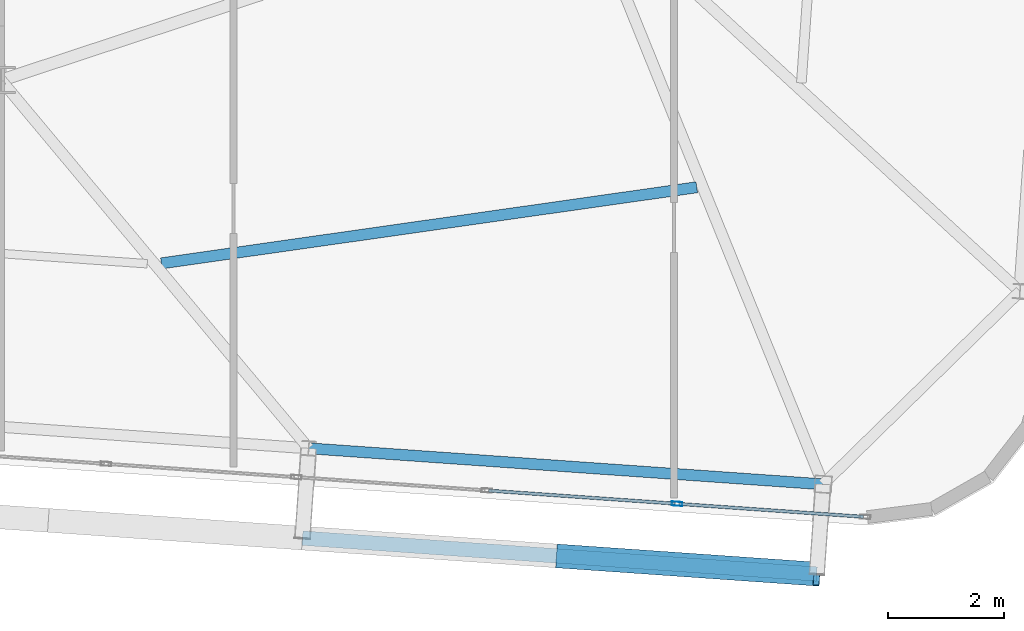
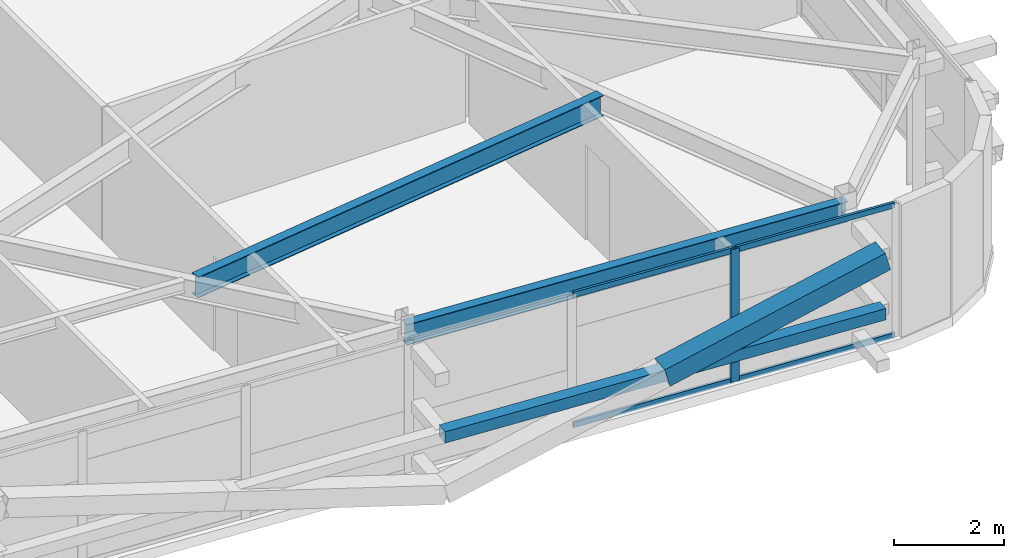
# One storey, part 19 of 47: 7 members, 2 beams, 1 element without a shape of its own.
"""IFC4 building model written with IfcOpenShell, lengths in metres."""

from ifc_helpers import new_model, si_unit, direction, frame, origin, origin_2d, place, context, subcontext, project, spatial, hollow_rectangle, i_section, extrude, source, transform, mapped, material, layer, layer_set, material_profile, profile_set, type_object, element, aggregate, save


model = new_model("IFC4")

# Units and contexts
model_context = context("Model", 3, precision=1e-05, world=origin(), true_north=direction((0.0, 1.0)))
body_context = subcontext(model_context, "Body", "Model", "MODEL_VIEW")
ifc_project = project(units=[si_unit("LENGTHUNIT", "METRE"), si_unit("AREAUNIT", "SQUARE_METRE"), si_unit("VOLUMEUNIT", "CUBIC_METRE"), si_unit("PLANEANGLEUNIT", "RADIAN"), si_unit("MASSUNIT", "GRAM", prefix="KILO")], contexts=[model_context])

# Site, building, storey
site_placement = place(None, origin())
site = spatial("IfcSite", under=ifc_project, at=site_placement, CompositionType="ELEMENT")
building_placement = place(site_placement, origin())
building = spatial("IfcBuilding", under=site, at=building_placement, Name="Taldren Reach Tower", CompositionType="ELEMENT")
storey_placement = place(building_placement, frame((0.0, 0.0, 139.300048828125)))
storey = spatial("IfcBuildingStorey", under=building, at=storey_placement, Name="L42", CompositionType="ELEMENT", Elevation=139.300048828125)

# Beams
ifc_material_1 = material(Name="Steel Gr 350 (350PLUS)", Category="steel")
ifc_material_profile_1 = material_profile(ifc_material_1, i_section(OverallWidth=0.18994140625, OverallDepth=0.4541015625, WebThickness=0.008544921875, FlangeThickness=0.0126953125, at=origin_2d()), Name="460UB67.1")
ifc_profile_set_1 = profile_set([ifc_material_profile_1], Name="Steel Gr 350 (350PLUS)")
beam_type_1 = type_object("IfcBeamType", Name="SP-UB460B", PredefinedType="SPANDREL", material=ifc_profile_set_1)
shared_shape_1 = source(origin(), body_context, "Body", "SweptSolid", [
    extrude(i_section(OverallWidth=0.18994140625, OverallDepth=0.4541015625, WebThickness=0.008544921875, FlangeThickness=0.0126953125, at=origin_2d()), origin(), (0.0, 0.0, 1.0), 8.880126953125),
])
beam_1_placement = place(storey_placement, frame((47.297119140625, 2.860595703125, 2.702880859375), z_axis=(0.997564479639, -0.069750333063, 0.0), x_axis=(0.069750333063, 0.997564479639, 0.0)))
element("IfcBeam", 1, at=beam_1_placement, inside=storey, type_object=beam_type_1, Name="Perimeter spandrel B3 S5-S6 L42", PredefinedType="SPANDREL", context=body_context, shape_type="MappedRepresentation", body=[
    mapped(shared_shape_1, transform((0.0, 0.0, 0.0), scale=1.0)),
])
ifc_material_profile_2 = material_profile(ifc_material_1, i_section(OverallWidth=0.19091796875, OverallDepth=0.4599609375, WebThickness=0.010009765625, FlangeThickness=0.01611328125, at=origin_2d()), Name="460UB82.1")
ifc_profile_set_2 = profile_set([ifc_material_profile_2], Name="Steel Gr 350 (350PLUS)")
beam_type_2 = type_object("IfcBeamType", Name="BM-UB460A", PredefinedType="BEAM", material=ifc_profile_set_2)
shared_shape_2 = source(origin(), body_context, "Body", "SweptSolid", [
    extrude(i_section(OverallWidth=0.19091796875, OverallDepth=0.4599609375, WebThickness=0.010009765625, FlangeThickness=0.01611328125, at=origin_2d()), origin(), (0.0, 0.0, 1.0), 9.313232421875),
])
beam_2_placement = place(storey_placement, frame((44.759765625, 6.046142578125, 2.699951171875), z_axis=(0.990049385514, 0.140720340547, 0.0), x_axis=(-0.140720340547, 0.990049385514, 0.0)))
element("IfcBeam", 2, at=beam_2_placement, inside=storey, type_object=beam_type_2, Name="Secondary floor beam B3 J5 L42", PredefinedType="BEAM", context=body_context, shape_type="MappedRepresentation", body=[
    mapped(shared_shape_2, transform((0.0, 0.0, 0.0), scale=1.0)),
])

# Members
ifc_material_2 = material(Name="Steel Gr 350 (C350L0)", Category="steel")
ifc_material_profile_3 = material_profile(ifc_material_2, hollow_rectangle(XDim=0.25, YDim=0.25, WallThickness=0.010009765625, at=origin_2d()), Name="250x250x10.0SHS")
ifc_profile_set_3 = profile_set([ifc_material_profile_3], Name="Steel Gr 350 (C350L0)")
member_type_1 = type_object("IfcMemberType", Name="MB-POST250", PredefinedType="POST", material=ifc_profile_set_3)
shared_shape_3 = source(origin(), body_context, "Body", "SweptSolid", [
    extrude(hollow_rectangle(XDim=0.25, YDim=0.25, WallThickness=0.010009765625, at=origin_2d()), origin(), (0.0, 0.0, 1.0), 8.880126953125),
])
member_1_placement = place(storey_placement, frame((47.18896484375, 1.314453125, 1.43505859375), z_axis=(0.997564479639, -0.069750333063, 0.0), x_axis=(0.069750333063, 0.997564479639, 0.0)))
element("IfcMember", 3, at=member_1_placement, inside=storey, type_object=member_type_1, Name="Exoskeleton mid-height ring chord B3-S5 L42", PredefinedType="POST", context=body_context, shape_type="MappedRepresentation", body=[
    mapped(shared_shape_3, transform((0.0, 0.0, 0.0), scale=1.0)),
])
ifc_material_3 = material(Name="Steel Gr 450 (C450L0)", Category="steel")
ifc_material_profile_4 = material_profile(ifc_material_3, hollow_rectangle(XDim=0.409912109375, YDim=0.409912109375, WallThickness=0.01611328125, at=origin_2d()), Name="410x410x16.0SHS")
ifc_profile_set_4 = profile_set([ifc_material_profile_4], Name="Steel Gr 450 (C450L0)")
member_type_2 = type_object("IfcMemberType", Name="MB-EXO406", PredefinedType="BRACE", material=ifc_profile_set_4)
shared_shape_4 = source(origin(), body_context, "Body", "SweptSolid", [
    extrude(hollow_rectangle(XDim=0.409912109375, YDim=0.409912109375, WallThickness=0.01611328125, at=origin_2d()), origin(), (0.0, 0.0, 1.0), 4.603271484375),
])
member_2_placement = place(storey_placement, frame((51.6181640625, 1.004638671875, 1.43505859375), z_axis=(0.962199253371, -0.067251055742, 0.263912660389), x_axis=(0.069722973508, 0.997566392259, 0.0)))
element("IfcMember", 4, at=member_2_placement, inside=storey, type_object=member_type_2, Name="Exoskeleton Diagrid Brace B3-S5 L42", PredefinedType="BRACE", context=body_context, shape_type="MappedRepresentation", body=[
    mapped(shared_shape_4, transform((0.0, 0.0, 0.0), scale=1.0)),
])

# Curtain wall, members
ifc_material_4 = material(Name="Aluminium and Low-E Glass Unitised System", Category="aluminium")
ifc_layer = layer(ifc_material_4, 0.159912109375)
ifc_layer_set = layer_set([ifc_layer], Name="Aluminium and Low-E Glass Unitised System")
curtain_wall_type = type_object("IfcCurtainWallType", Name="CW-SYS-4", PredefinedType="NOTDEFINED", material=ifc_layer_set)
curtain_wall_placement = place(storey_placement, origin())
curtain_wall = element("IfcCurtainWall", 5, at=curtain_wall_placement, inside=storey, type_object=curtain_wall_type, Name="Unitised curtain wall CW-L42-S", PredefinedType="NOTDEFINED")
ifc_material_5 = material(Name="Anodised Aluminium 6063-T6", Category="aluminium")
ifc_material_profile_5 = material_profile(ifc_material_5, hollow_rectangle(XDim=0.070068359375, YDim=0.179931640625, WallThickness=0.00390625, at=origin_2d()), Name="ALU-180x70x4RHS")
ifc_profile_set_5 = profile_set([ifc_material_profile_5], Name="Anodised Aluminium 6063-T6")
member_type_3 = type_object("IfcMemberType", Name="CW-MUL-180", PredefinedType="MULLION", material=ifc_profile_set_5)
shared_shape_5 = source(origin(), body_context, "Body", "SweptSolid", [
    extrude(hollow_rectangle(XDim=0.070068359375, YDim=0.179931640625, WallThickness=0.00390625, at=origin_2d()), origin(), (0.0, 0.0, 1.0), 2.929931640625),
])
member_3_placement = place(storey_placement, frame((53.64013671875, 1.90576171875, 0.0), z_axis=(0.0, 0.0, 1.0), x_axis=(0.06975651593, 0.99756404731, 0.0)))
member_3 = element("IfcMember", 6, at=member_3_placement, type_object=member_type_3, Name="CW-4 mullion 14", PredefinedType="MULLION", context=body_context, shape_type="MappedRepresentation", body=[
    mapped(shared_shape_5, transform((0.0, 0.0, 0.0), scale=1.0)),
])
ifc_material_profile_6 = material_profile(ifc_material_5, hollow_rectangle(XDim=0.054931640625, YDim=0.1201171875, WallThickness=0.0029296875, at=origin_2d()), Name="ALU-120x55x3RHS")
ifc_profile_set_6 = profile_set([ifc_material_profile_6], Name="Anodised Aluminium 6063-T6")
member_type_4 = type_object("IfcMemberType", Name="CW-TRN-135", PredefinedType="USERDEFINED", material=ifc_profile_set_6)
shared_shape_6 = source(origin(), body_context, "Body", "SweptSolid", [
    extrude(hollow_rectangle(XDim=0.054931640625, YDim=0.1201171875, WallThickness=0.0029296875, at=origin_2d()), origin(), (0.0, 0.0, 1.0), 3.215576171875),
])
member_4_placement = place(storey_placement, frame((50.3974609375, 2.132568359375, 0.02734375), z_axis=(0.997562826405, -0.069773973473, 0.0), x_axis=(0.069773973473, 0.997562826405, 0.0)))
member_4 = element("IfcMember", 7, at=member_4_placement, type_object=member_type_4, Name="CW-4 transom 13.1", ObjectType="TRANSOM", PredefinedType="USERDEFINED", context=body_context, shape_type="MappedRepresentation", body=[
    mapped(shared_shape_6, transform((0.0, 0.0, 0.0), scale=1.0)),
])
member_5_placement = place(storey_placement, frame((50.3974609375, 2.132568359375, 2.90234375), z_axis=(0.997562826405, -0.069773973473, 0.0), x_axis=(0.069773973473, 0.997562826405, 0.0)))
member_5 = element("IfcMember", 8, at=member_5_placement, type_object=member_type_4, Name="CW-4 transom 13.2", ObjectType="TRANSOM", PredefinedType="USERDEFINED", context=body_context, shape_type="MappedRepresentation", body=[
    mapped(shared_shape_6, transform((0.0, 0.0, 0.0), scale=1.0)),
])
shared_shape_7 = source(origin(), body_context, "Body", "SweptSolid", [
    extrude(hollow_rectangle(XDim=0.054931640625, YDim=0.1201171875, WallThickness=0.0029296875, at=origin_2d()), origin(), (0.0, 0.0, 1.0), 3.180908203125),
])
member_6_placement = place(storey_placement, frame((53.675048828125, 1.9033203125, 0.02734375), z_axis=(0.997568528123, -0.069692407751, 0.0), x_axis=(0.069692407751, 0.997568528123, 0.0)))
member_6 = element("IfcMember", 9, at=member_6_placement, type_object=member_type_4, Name="CW-4 transom 14.1", ObjectType="TRANSOM", PredefinedType="USERDEFINED", context=body_context, shape_type="MappedRepresentation", body=[
    mapped(shared_shape_7, transform((0.0, 0.0, 0.0), scale=1.0)),
])
member_7_placement = place(storey_placement, frame((53.675048828125, 1.9033203125, 2.90234375), z_axis=(0.997568528123, -0.069692407751, 0.0), x_axis=(0.069692407751, 0.997568528123, 0.0)))
member_7 = element("IfcMember", 10, at=member_7_placement, type_object=member_type_4, Name="CW-4 transom 14.2", ObjectType="TRANSOM", PredefinedType="USERDEFINED", context=body_context, shape_type="MappedRepresentation", body=[
    mapped(shared_shape_7, transform((0.0, 0.0, 0.0), scale=1.0)),
])
aggregate(curtain_wall, [member_3, member_4, member_5, member_6, member_7])

save(model, "model.ifc")
